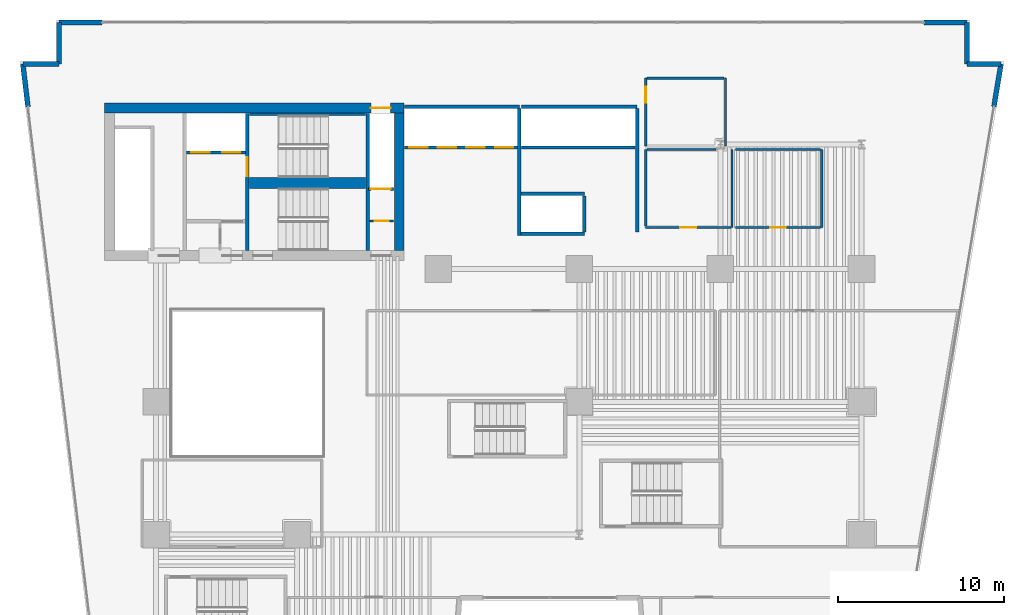
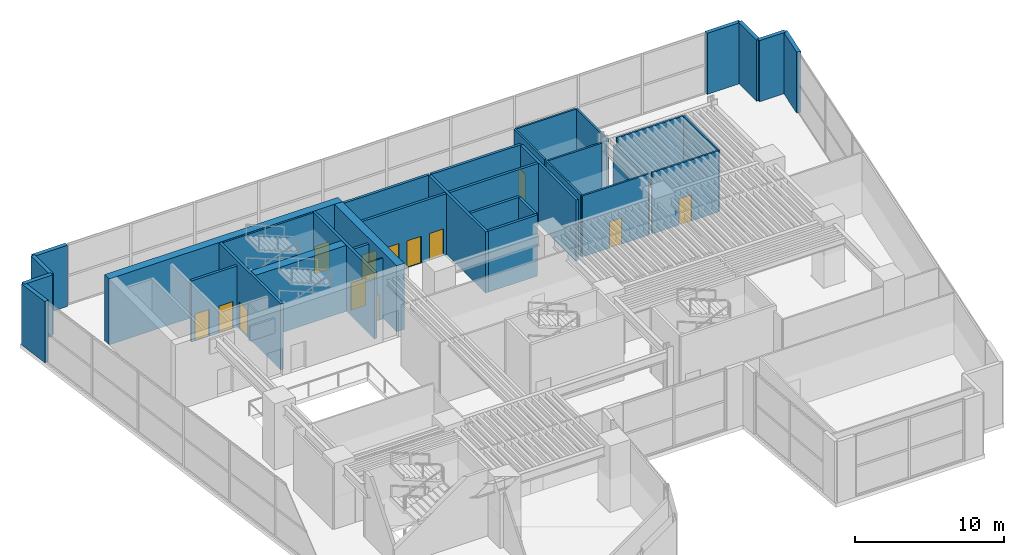
# One storey, part 10 of 16: 36 walls, 13 doors, 13 openings.
"""IFC4 building model written with IfcOpenShell, lengths in metres."""

import ifcopenshell
import ifcopenshell.guid

model = None  # the IFC model being written
_history = None  # IfcOwnerHistory: only IFC2X3 demands one
_inside = {}  # id of a spatial element -> (the spatial element, [elements in it])
_under = {}  # id of a project, library or spatial element -> (it, [spatial elements below it])
_declared = {}  # id of a project -> (the project, [libraries it declares])
_typed = {}  # id of a type object -> (the type object, [elements of that type])
_made_of = {}  # id of a material, layer set ... -> (it, [elements and type objects made of it])


def new_model(schema):
    """Start an empty IFC model of exactly this schema.

    Asked for "IFC4X3", IfcOpenShell would pick the latest addendum, in which some entities
    have other attributes; the version numbers below select the first issue.
    IFC2X3 requires an IfcOwnerHistory on every rooted entity: one is made here for all.
    """
    global model, _history
    if schema == "IFC4X3":
        model = ifcopenshell.file(schema_version=(4, 3, 0, 0))
    else:
        model = ifcopenshell.file(schema=schema)
    _inside.clear()
    _under.clear()
    _declared.clear()
    _typed.clear()
    _made_of.clear()
    _history = None
    if model.schema == "IFC2X3":
        org = make("IfcOrganization", Name="unknown")
        user = make(
            "IfcPersonAndOrganization",
            ThePerson=make("IfcPerson", FamilyName="unknown"),
            TheOrganization=org,
        )
        app = make(
            "IfcApplication",
            ApplicationDeveloper=org,
            Version="unknown",
            ApplicationFullName="unknown",
            ApplicationIdentifier="unknown",
        )
        _history = make(
            "IfcOwnerHistory",
            OwningUser=user,
            OwningApplication=app,
            ChangeAction="ADDED",
            CreationDate=0,
        )
    return model


def make(cls, **values):
    """One entity of the class cls with the attributes given. An attribute that is None is left unset."""
    return model.create_entity(
        cls, **{name: value for name, value in values.items() if value is not None}
    )


def rooted(cls, **values):
    """An entity with a GlobalId (a new one), such as an element, a storey or a relation."""
    return make(cls, GlobalId=ifcopenshell.guid.new(), OwnerHistory=_history, **values)


def si_unit(unit_type, name, prefix=None):
    """IfcSIUnit, for example si_unit("LENGTHUNIT", "METRE", prefix="MILLI")."""
    return make("IfcSIUnit", UnitType=unit_type, Prefix=prefix, Name=name)


def assignment(units):
    """IfcUnitAssignment: the units of a project."""
    return None if units is None else make("IfcUnitAssignment", Units=units)


def point(xyz):
    """IfcCartesianPoint."""
    return None if xyz is None else make("IfcCartesianPoint", Coordinates=xyz)


def direction(xyz):
    """IfcDirection."""
    return None if xyz is None else make("IfcDirection", DirectionRatios=xyz)


def frame(location, z_axis=None, x_axis=None):
    """IfcAxis2Placement3D, a coordinate frame: its origin and axes. An axis left out is left unset."""
    return make(
        "IfcAxis2Placement3D",
        Location=point(location),
        Axis=direction(z_axis),
        RefDirection=direction(x_axis),
    )


def frame_2d(location, x_axis=None):
    """IfcAxis2Placement2D, a coordinate frame in the plane: its origin and x axis."""
    return make(
        "IfcAxis2Placement2D", Location=point(location), RefDirection=direction(x_axis)
    )


def origin():
    """The frame at (0, 0, 0) with its axes left unset."""
    return frame((0.0, 0.0, 0.0))


def place(relative_to, where):
    """IfcLocalPlacement: puts the frame where relative to a parent placement (None: the world)."""
    return make(
        "IfcLocalPlacement", PlacementRelTo=relative_to, RelativePlacement=where
    )


def context(
    kind, dimensions, precision=None, world=None, true_north=None, identifier=None
):
    """IfcGeometricRepresentationContext, for example the 3D "Model" context."""
    return make(
        "IfcGeometricRepresentationContext",
        ContextIdentifier=identifier,
        ContextType=kind,
        CoordinateSpaceDimension=dimensions,
        Precision=precision,
        WorldCoordinateSystem=world,
        TrueNorth=true_north,
    )


def subcontext(parent, identifier, kind, view, scale=None):
    """IfcGeometricRepresentationSubContext, for example "Body" below "Model"."""
    return make(
        "IfcGeometricRepresentationSubContext",
        ContextIdentifier=identifier,
        ContextType=kind,
        ParentContext=parent,
        TargetScale=scale,
        TargetView=view,
    )


def project(units=None, contexts=None):
    """IfcProject with its units and contexts."""
    return rooted(
        "IfcProject",
        Name="project",
        RepresentationContexts=contexts,
        UnitsInContext=assignment(units),
    )


def spatial(cls, under=None, at=None, **own):
    """A site, building, storey or space (cls), placed at a placement, below another one or the project."""
    s = rooted(cls, ObjectPlacement=at, **own)
    if under is not None:
        _under.setdefault(under.id(), (under, []))[1].append(s)
    return s


def profile(cls, at=None, kind="AREA", **sizes):
    """A parametric profile (cls). Its sizes go by their IFC names, for example OverallWidth=200.0."""
    return make(cls, ProfileType=kind, Position=at, **sizes)


def rectangle(**sizes):
    """IfcRectangleProfileDef."""
    return profile("IfcRectangleProfileDef", **sizes)


def extrude(swept, where, along, depth):
    """IfcExtrudedAreaSolid: the profile swept, set in the frame where, extruded along a direction by depth."""
    return make(
        "IfcExtrudedAreaSolid",
        SweptArea=swept,
        Position=where,
        ExtrudedDirection=direction(along),
        Depth=depth,
    )


def shape(context_of_items, identifier, shape_type, items):
    """IfcShapeRepresentation: the items that make up one representation, for example the "Body"."""
    return make(
        "IfcShapeRepresentation",
        ContextOfItems=context_of_items,
        RepresentationIdentifier=identifier,
        RepresentationType=shape_type,
        Items=items,
    )


def material(Name=None, Category=None):
    """IfcMaterial."""
    return make("IfcMaterial", Name=Name, Category=Category)


def layer(
    of_material, thickness, ventilated=None, Name=None, Category=None, Priority=None
):
    """IfcMaterialLayer: one layer of a wall or slab, of a material (None: an air gap)."""
    return make(
        "IfcMaterialLayer",
        Material=of_material,
        LayerThickness=thickness,
        IsVentilated=ventilated,
        Name=Name,
        Category=Category,
        Priority=Priority,
    )


def layer_set(layers, Name=None):
    """IfcMaterialLayerSet."""
    return make("IfcMaterialLayerSet", MaterialLayers=layers, LayerSetName=Name)


def made_of(thing, what):
    """Note that an element or type object is made of a material, layer set ...; save() writes the relation."""
    if what is not None:
        _made_of.setdefault(what.id(), (what, []))[1].append(thing)
    return thing


def type_object(cls, material=None, **own):
    """A type object (cls), such as IfcWallType, which elements share."""
    return made_of(rooted(cls, **own), material)


def element(
    cls,
    number,
    at=None,
    inside=None,
    cuts=None,
    type_object=None,
    material=None,
    context=None,
    identifier="Body",
    shape_type=None,
    held_by="IfcProductDefinitionShape",
    body=None,
    shapes=None,
    **own,
):
    """One element of the class cls, such as IfcWall. Its Tag is "e" and its number.

    at: its placement. inside: the storey or other place that contains it. cuts: it is an
    opening in that element (IfcRelVoidsElement). A single representation is given by context,
    identifier, shape_type and body (its items); several are given by shapes. held_by: the class
    of the entity that holds the representations. save() writes the other relations.
    """
    e = rooted(cls, Tag="e%d" % number, ObjectPlacement=at, **own)
    if body is not None:
        shapes = [shape(context, identifier, shape_type, body)]
    if shapes is not None:
        e.Representation = make(held_by, Representations=shapes)
    if inside is not None:
        _inside.setdefault(inside.id(), (inside, []))[1].append(e)
    if cuts is not None:
        rooted(
            "IfcRelVoidsElement", RelatingBuildingElement=cuts, RelatedOpeningElement=e
        )
    if type_object is not None:
        _typed.setdefault(type_object.id(), (type_object, []))[1].append(e)
    return made_of(e, material)


def fill(opening, filler):
    """IfcRelFillsElement: the door or window that sits in an opening."""
    return rooted(
        "IfcRelFillsElement",
        RelatingOpeningElement=opening,
        RelatedBuildingElement=filler,
    )


def aggregate(whole, parts):
    """IfcRelAggregates: a whole, such as a stair, and the parts it consists of."""
    return rooted("IfcRelAggregates", RelatingObject=whole, RelatedObjects=parts)


def save(model, path):
    """Write the relations noted so far, then the file.

    IfcRelAggregates (storeys below a building ...), IfcRelContainedInSpatialStructure (elements
    in a storey), IfcRelDefinesByType, IfcRelAssociatesMaterial and IfcRelDeclares: one each for
    every whole, place, type object, material and project.
    """
    for whole, parts in _under.values():
        aggregate(whole, parts)
    for where, things in _inside.values():
        rooted(
            "IfcRelContainedInSpatialStructure",
            RelatedElements=things,
            RelatingStructure=where,
        )
    for kind, things in _typed.values():
        rooted("IfcRelDefinesByType", RelatedObjects=things, RelatingType=kind)
    for what, things in _made_of.values():
        rooted("IfcRelAssociatesMaterial", RelatedObjects=things, RelatingMaterial=what)
    for by, libraries in _declared.values():
        rooted("IfcRelDeclares", RelatingContext=by, RelatedDefinitions=libraries)
    model.write(path)


model = new_model("IFC4")

# Units and contexts
model_context = context("Model", 3, precision=1e-05, world=origin(), true_north=direction((0.0, 1.0)))
body_context = subcontext(model_context, "Body", "Model", "MODEL_VIEW")
ifc_project = project(units=[si_unit("LENGTHUNIT", "METRE"), si_unit("AREAUNIT", "SQUARE_METRE"), si_unit("VOLUMEUNIT", "CUBIC_METRE"), si_unit("PLANEANGLEUNIT", "RADIAN"), si_unit("MASSUNIT", "GRAM", prefix="KILO")], contexts=[model_context])

# Site, building, storey
site_placement = place(None, origin())
site = spatial("IfcSite", under=ifc_project, at=site_placement, CompositionType="ELEMENT")
building_placement = place(site_placement, origin())
building = spatial("IfcBuilding", under=site, at=building_placement, Name="Caeloran Harvest Quay", CompositionType="ELEMENT")
storey_placement = place(building_placement, frame((0.0, 0.0, 16.199951171875)))
storey = spatial("IfcBuildingStorey", under=building, at=storey_placement, Name="L04", CompositionType="ELEMENT", Elevation=16.199951171875)

# Walls
ifc_material_1 = material(Name="Precast concrete C50/60", Category="concrete")
ifc_layer_1 = layer(ifc_material_1, 0.300048828125, Name="Precast concrete C50/60")
ifc_layer_set_1 = layer_set([ifc_layer_1], Name="Precast concrete C50/60")
wall_type_1 = type_object("IfcWallType", Name="ENV-WALL-EW-300", PredefinedType="STANDARD", material=ifc_layer_set_1)
wall_1_placement = place(storey_placement, frame((0.781494140625, 40.768798828125, 0.0), z_axis=(0.0, 0.0, 1.0), x_axis=(-0.119630264411, 0.992818513041, 0.0)))
element("IfcWall", 1, at=wall_1_placement, inside=storey, type_object=wall_type_1, Name="L04 Exterior Facade Corner Pier Wall 3B", PredefinedType="STANDARD", context=body_context, shape_type="SweptSolid", body=[
    extrude(rectangle(XDim=2.599853515625, YDim=0.300048828125, at=frame_2d((1.2998046875, 0.0))), origin(), (0.0, 0.0, 1.0), 5.0),
])
wall_2_placement = place(storey_placement, frame((0.470458984375, 43.35009765625, 0.0), z_axis=(0.0, 0.0, 1.0), x_axis=(1.0, 0.0, 0.0)))
element("IfcWall", 2, at=wall_2_placement, inside=storey, type_object=wall_type_1, Name="L04 Exterior Precast Concrete Facade Wall 4", PredefinedType="STANDARD", context=body_context, shape_type="SweptSolid", body=[
    extrude(rectangle(XDim=2.179443359375, YDim=0.300048828125, at=frame_2d((1.08984375, 0.0))), origin(), (0.0, 0.0, 1.0), 5.0),
])
wall_3_placement = place(storey_placement, frame((2.64990234375, 43.35009765625, 0.0), z_axis=(0.0, 0.0, 1.0), x_axis=(0.0, 1.0, 0.0)))
element("IfcWall", 3, at=wall_3_placement, inside=storey, type_object=wall_type_1, Name="L04 Exterior Precast Concrete Facade Wall 5", PredefinedType="STANDARD", context=body_context, shape_type="SweptSolid", body=[
    extrude(rectangle(XDim=2.5, YDim=0.300048828125, at=frame_2d((1.25, 0.0))), origin(), (0.0, 0.0, 1.0), 5.0),
])
for number, where, z_axis, x_axis, name in (
    (4, (2.64990234375, 45.85009765625, 0.0), (0.0, 0.0, 1.0), (1.0, 0.0, 0.0), "L04 Exterior Facade Corner Pier Wall 6A"),
    (5, (54.75, 45.85009765625, 0.0), (0.0, 0.0, 1.0), (1.0, 0.0, 0.0), "L04 Exterior Facade Corner Pier Wall 6B"),
):
    element("IfcWall", number, at=place(storey_placement, frame(where, z_axis=z_axis, x_axis=x_axis)), inside=storey, type_object=wall_type_1, Name=name, PredefinedType="STANDARD", context=body_context, shape_type="SweptSolid", body=[
        extrude(rectangle(XDim=2.60009765625, YDim=0.300048828125, at=frame_2d((1.300048828125, 0.0))), origin(), (0.0, 0.0, 1.0), 5.0),
    ])
wall_4_placement = place(storey_placement, frame((57.35009765625, 45.85009765625, 0.0), z_axis=(0.0, 0.0, 1.0), x_axis=(0.0, -1.0, 0.0)))
element("IfcWall", 6, at=wall_4_placement, inside=storey, type_object=wall_type_1, Name="L04 Exterior Precast Concrete Facade Wall 7", PredefinedType="STANDARD", context=body_context, shape_type="SweptSolid", body=[
    extrude(rectangle(XDim=2.5, YDim=0.300048828125, at=frame_2d((1.25, 0.0))), origin(), (0.0, 0.0, 1.0), 5.0),
])
wall_5_placement = place(storey_placement, frame((57.35009765625, 43.35009765625, 0.0), z_axis=(0.0, 0.0, 1.0), x_axis=(1.0, 0.0, 0.0)))
element("IfcWall", 7, at=wall_5_placement, inside=storey, type_object=wall_type_1, Name="L04 Exterior Precast Concrete Facade Wall 8", PredefinedType="STANDARD", context=body_context, shape_type="SweptSolid", body=[
    extrude(rectangle(XDim=2.056884765625, YDim=0.300048828125, at=frame_2d((1.0283203125, 0.0))), origin(), (0.0, 0.0, 1.0), 5.0),
])
wall_6_placement = place(storey_placement, frame((59.406982421875, 43.35009765625, 0.0), z_axis=(0.0, 0.0, 1.0), x_axis=(-0.164231487243, -0.986421825893, 0.0)))
element("IfcWall", 8, at=wall_6_placement, inside=storey, type_object=wall_type_1, Name="L04 Exterior Facade Corner Pier Wall 9A", PredefinedType="STANDARD", context=body_context, shape_type="SweptSolid", body=[
    extrude(rectangle(XDim=2.60009765625, YDim=0.300048828125, at=frame_2d((1.300048828125, 0.0))), origin(), (0.0, 0.0, 1.0), 5.0),
])

# Wall, opening, door
ifc_material_2 = material(Name="Fire-Resisting Gypsum Core Riser Partition", Category="gypsum")
ifc_layer_2 = layer(ifc_material_2, 0.10009765625, Name="Fire-Resisting Gypsum Core Riser Partition")
ifc_layer_set_2 = layer_set([ifc_layer_2], Name="Fire-Resisting Gypsum Core Riser Partition")
wall_type_2 = type_object("IfcWallType", Name="INT-WALL-PW-100", PredefinedType="PARTITIONING", material=ifc_layer_set_2)
wall_7_placement = place(storey_placement, frame((21.3798828125, 33.889892578125, 0.0), z_axis=(0.0, 0.0, 1.0), x_axis=(1.0, 0.0, 0.0)))
wall_7 = element("IfcWall", 9, at=wall_7_placement, inside=storey, type_object=wall_type_2, Name="L04 Cleaner Store Partition Wall", PredefinedType="PARTITIONING", context=body_context, shape_type="SweptSolid", body=[
    extrude(rectangle(XDim=1.420166015625, YDim=0.10009765625, at=frame_2d((0.7099609375, 0.0))), origin(), (0.0, 0.0, 1.0), 5.0),
])
opening_1_placement = place(wall_7_placement, frame((0.280029296875, 0.0, 0.0)))
opening_1 = element("IfcOpeningElement", 10, at=opening_1_placement, cuts=wall_7, Name="Opening SV-01", PredefinedType="OPENING", context=body_context, shape_type="SweptSolid", body=[
    extrude(rectangle(XDim=0.85009765625, YDim=2.10009765625, at=frame_2d((0.425048828125, 1.050048828125))), frame((0.0, 0.06005859375, 0.0), z_axis=(0.0, -1.0, 0.0), x_axis=(1.0, 0.0, 0.0)), (0.0, 0.0, 1.0), 0.1201171875),
])
ifc_material_3 = material(Name="Galvanized Painted Steel", Category="steel")
door_type_1 = type_object("IfcDoorType", Name="INTDOOR-SV-01", OperationType="NOTDEFINED", PredefinedType="DOOR", material=ifc_material_3)
door_1_placement = place(opening_1_placement, origin())
door_1 = element("IfcDoor", 11, at=door_1_placement, inside=storey, type_object=door_type_1, Name="L04 Cleaner Supply Store Access Door", OperationType="SINGLE_SWING_RIGHT", OverallHeight=2.10009765625, OverallWidth=0.85009765625, PredefinedType="DOOR", context=body_context, shape_type="SweptSolid", body=[
    extrude(rectangle(XDim=0.85009765625, YDim=2.10009765625, at=frame_2d((0.425048828125, 1.050048828125))), frame((0.0, 0.02490234375, 0.0), z_axis=(0.0, -1.0, 0.0), x_axis=(1.0, 0.0, 0.0)), (0.0, 0.0, 1.0), 0.050048828125),
])
fill(opening_1, door_1)

# Wall
ifc_material_4 = material(Name="Moisture-Resistant Cement-Board Sanitary Partition", Category="gypsum")
ifc_layer_3 = layer(ifc_material_4, 0.139892578125, Name="Moisture-Resistant Cement-Board Sanitary Partition")
ifc_layer_set_3 = layer_set([ifc_layer_3], Name="Moisture-Resistant Cement-Board Sanitary Partition")
wall_type_3 = type_object("IfcWallType", Name="INT-WALL-PW-140", PredefinedType="PARTITIONING", material=ifc_layer_set_3)
wall_8_placement = place(storey_placement, frame((43.199951171875, 38.199951171875, 0.0), z_axis=(0.0, 0.0, 1.0), x_axis=(0.0, -1.0, 0.0)))
element("IfcWall", 12, at=wall_8_placement, inside=storey, type_object=wall_type_3, Name="L04 Public Male Washroom WC Partition Wall", PredefinedType="PARTITIONING", context=body_context, shape_type="SweptSolid", body=[
    extrude(rectangle(XDim=4.699951171875, YDim=0.139892578125, at=frame_2d((2.35009765625, 0.0))), origin(), (0.0, 0.0, 1.0), 4.485107421875),
])

# Wall, opening, door
wall_9_placement = place(storey_placement, frame((43.125, 33.5, 0.0), z_axis=(0.0, 0.0, 1.0), x_axis=(-1.0, 0.0, 0.0)))
wall_9 = element("IfcWall", 13, at=wall_9_placement, inside=storey, type_object=wall_type_3, Name="L04 Public Male Washroom WC Partition Wall", PredefinedType="PARTITIONING", context=body_context, shape_type="SweptSolid", body=[
    extrude(rectangle(XDim=5.125, YDim=0.139892578125, at=frame_2d((2.5625, 0.0))), origin(), (0.0, 0.0, 1.0), 5.0),
])
opening_2_placement = place(wall_9_placement, frame((2.08740234375, 0.0, 0.0)))
opening_2 = element("IfcOpeningElement", 14, at=opening_2_placement, cuts=wall_9, Name="Opening WC-01", PredefinedType="OPENING", context=body_context, shape_type="SweptSolid", body=[
    extrude(rectangle(XDim=0.949951171875, YDim=2.14990234375, at=frame_2d((0.47509765625, 1.074951171875))), frame((0.0, 0.080078125, 0.0), z_axis=(0.0, -1.0, 0.0), x_axis=(1.0, 0.0, 0.0)), (0.0, 0.0, 1.0), 0.159912109375),
])
ifc_material_5 = material(Name="High-Pressure Laminate Moisture-Resistant Timber", Category="wood")
door_type_2 = type_object("IfcDoorType", Name="INTDOOR-WC-01", OperationType="NOTDEFINED", PredefinedType="DOOR", material=ifc_material_5)
door_2_placement = place(opening_2_placement, origin())
door_2 = element("IfcDoor", 15, at=door_2_placement, inside=storey, type_object=door_type_2, Name="L04 Public Male Washroom WC Access Door", OperationType="SINGLE_SWING_RIGHT", OverallHeight=2.14990234375, OverallWidth=0.949951171875, PredefinedType="DOOR", context=body_context, shape_type="SweptSolid", body=[
    extrude(rectangle(XDim=0.949951171875, YDim=2.14990234375, at=frame_2d((0.47509765625, 1.074951171875))), frame((0.0, 0.02490234375, 0.0), z_axis=(0.0, -1.0, 0.0), x_axis=(1.0, 0.0, 0.0)), (0.0, 0.0, 1.0), 0.050048828125),
])
fill(opening_2, door_2)

# Walls
wall_10_placement = place(storey_placement, frame((38.0, 33.574951171875, 0.0), z_axis=(0.0, 0.0, 1.0), x_axis=(0.0, 1.0, 0.0)))
element("IfcWall", 16, at=wall_10_placement, inside=storey, type_object=wall_type_3, Name="L04 Public Male Washroom WC Partition Wall", PredefinedType="PARTITIONING", context=body_context, shape_type="SweptSolid", body=[
    extrude(rectangle(XDim=4.625, YDim=0.139892578125, at=frame_2d((2.3125, 0.0))), origin(), (0.0, 0.0, 1.0), 5.0),
])
wall_11_placement = place(storey_placement, frame((38.074951171875, 38.199951171875, 0.0), z_axis=(0.0, 0.0, 1.0), x_axis=(1.0, 0.0, 0.0)))
element("IfcWall", 17, at=wall_11_placement, inside=storey, type_object=wall_type_3, Name="L04 Public Male Washroom WC Partition Wall", PredefinedType="PARTITIONING", context=body_context, shape_type="SweptSolid", body=[
    extrude(rectangle(XDim=4.173095703125, YDim=0.139892578125, at=frame_2d((2.08642578125, 0.0))), origin(), (0.0, 0.0, 1.0), 5.0),
])
wall_12_placement = place(storey_placement, frame((48.60009765625, 38.199951171875, 0.0), z_axis=(0.0, 0.0, 1.0), x_axis=(0.0, -1.0, 0.0)))
element("IfcWall", 18, at=wall_12_placement, inside=storey, type_object=wall_type_3, Name="L04 Public Female Washroom WC Partition Wall", PredefinedType="PARTITIONING", context=body_context, shape_type="SweptSolid", body=[
    extrude(rectangle(XDim=4.699951171875, YDim=0.139892578125, at=frame_2d((2.35009765625, 0.0))), origin(), (0.0, 0.0, 1.0), 5.0),
])

# Wall, opening, door
wall_13_placement = place(storey_placement, frame((48.52490234375, 33.5, 0.0), z_axis=(0.0, 0.0, 1.0), x_axis=(-1.0, 0.0, 0.0)))
wall_13 = element("IfcWall", 19, at=wall_13_placement, inside=storey, type_object=wall_type_3, Name="L04 Public Female Washroom WC Partition Wall", PredefinedType="PARTITIONING", context=body_context, shape_type="SweptSolid", body=[
    extrude(rectangle(XDim=5.125, YDim=0.139892578125, at=frame_2d((2.5625, 0.0))), origin(), (0.0, 0.0, 1.0), 5.0),
])
opening_3_placement = place(wall_13_placement, frame((2.08740234375, 0.0, 0.0)))
opening_3 = element("IfcOpeningElement", 20, at=opening_3_placement, cuts=wall_13, Name="Opening WC-01", PredefinedType="OPENING", context=body_context, shape_type="SweptSolid", body=[
    extrude(rectangle(XDim=0.949951171875, YDim=2.14990234375, at=frame_2d((0.47509765625, 1.074951171875))), frame((0.0, 0.080078125, 0.0), z_axis=(0.0, -1.0, 0.0), x_axis=(1.0, 0.0, 0.0)), (0.0, 0.0, 1.0), 0.159912109375),
])
door_3_placement = place(opening_3_placement, origin())
door_3 = element("IfcDoor", 21, at=door_3_placement, inside=storey, type_object=door_type_2, Name="L04 Public Female Washroom WC Access Door", OperationType="SINGLE_SWING_LEFT", OverallHeight=2.14990234375, OverallWidth=0.949951171875, PredefinedType="DOOR", context=body_context, shape_type="SweptSolid", body=[
    extrude(rectangle(XDim=0.949951171875, YDim=2.14990234375, at=frame_2d((0.47509765625, 1.074951171875))), frame((0.0, 0.02490234375, 0.0), z_axis=(0.0, -1.0, 0.0), x_axis=(1.0, 0.0, 0.0)), (0.0, 0.0, 1.0), 0.050048828125),
])
fill(opening_3, door_3)

# Walls
wall_14_placement = place(storey_placement, frame((43.39990234375, 38.199951171875, 0.0), z_axis=(0.0, 0.0, 1.0), x_axis=(1.0, 0.0, 0.0)))
element("IfcWall", 22, at=wall_14_placement, inside=storey, type_object=wall_type_3, Name="L04 Public Female Washroom WC Partition Wall", PredefinedType="PARTITIONING", context=body_context, shape_type="SweptSolid", body=[
    extrude(rectangle(XDim=5.125, YDim=0.139892578125, at=frame_2d((2.5625, 0.0))), origin(), (0.0, 0.0, 1.0), 5.0),
])
wall_15_placement = place(storey_placement, frame((42.800048828125, 42.5, 0.0), z_axis=(0.0, 0.0, 1.0), x_axis=(0.0, -1.0, 0.0)))
element("IfcWall", 23, at=wall_15_placement, inside=storey, type_object=wall_type_3, Name="L04 Accessible Unisex Washroom WC Partition Wall", PredefinedType="PARTITIONING", context=body_context, shape_type="SweptSolid", body=[
    extrude(rectangle(XDim=4.10009765625, YDim=0.139892578125, at=frame_2d((2.050048828125, 0.0))), origin(), (0.0, 0.0, 1.0), 5.0),
])

# Wall, opening, door
wall_16_placement = place(storey_placement, frame((38.0, 38.39990234375, 0.0), z_axis=(0.0, 0.0, 1.0), x_axis=(0.0, 1.0, 0.0)))
wall_16 = element("IfcWall", 24, at=wall_16_placement, inside=storey, type_object=wall_type_3, Name="L04 Accessible Unisex Washroom WC Partition Wall", PredefinedType="PARTITIONING", context=body_context, shape_type="SweptSolid", body=[
    extrude(rectangle(XDim=4.10009765625, YDim=0.139892578125, at=frame_2d((2.050048828125, 0.0))), origin(), (0.0, 0.0, 1.0), 5.0),
])
opening_4_placement = place(wall_16_placement, frame((2.62255859375, 0.0, 0.0)))
opening_4 = element("IfcOpeningElement", 25, at=opening_4_placement, cuts=wall_16, Name="Opening WC-01", PredefinedType="OPENING", context=body_context, shape_type="SweptSolid", body=[
    extrude(rectangle(XDim=0.949951171875, YDim=2.14990234375, at=frame_2d((0.47509765625, 1.074951171875))), frame((0.0, 0.080078125, 0.0), z_axis=(0.0, -1.0, 0.0), x_axis=(1.0, 0.0, 0.0)), (0.0, 0.0, 1.0), 0.159912109375),
])
door_4_placement = place(opening_4_placement, origin())
door_4 = element("IfcDoor", 26, at=door_4_placement, inside=storey, type_object=door_type_2, Name="L04 Accessible Unisex Washroom WC Access Door", OperationType="SINGLE_SWING_LEFT", OverallHeight=2.14990234375, OverallWidth=0.949951171875, PredefinedType="DOOR", context=body_context, shape_type="SweptSolid", body=[
    extrude(rectangle(XDim=0.949951171875, YDim=2.14990234375, at=frame_2d((0.47509765625, 1.074951171875))), frame((0.0, 0.02490234375, 0.0), z_axis=(0.0, -1.0, 0.0), x_axis=(1.0, 0.0, 0.0)), (0.0, 0.0, 1.0), 0.050048828125),
])
fill(opening_4, door_4)

# Wall
wall_17_placement = place(storey_placement, frame((38.074951171875, 42.5, 0.0), z_axis=(0.0, 0.0, 1.0), x_axis=(1.0, 0.0, 0.0)))
element("IfcWall", 27, at=wall_17_placement, inside=storey, type_object=wall_type_3, Name="L04 Accessible Unisex Washroom WC Partition Wall", PredefinedType="PARTITIONING", context=body_context, shape_type="SweptSolid", body=[
    extrude(rectangle(XDim=4.650146484375, YDim=0.139892578125, at=frame_2d((2.3251953125, 0.0))), origin(), (0.0, 0.0, 1.0), 5.0),
])

# Wall, openings, doors
ifc_material_6 = material(Name="Concrete C50/60", Category="concrete")
ifc_layer_4 = layer(ifc_material_6, 0.199951171875, Name="Concrete C50/60")
ifc_layer_set_4 = layer_set([ifc_layer_4], Name="Concrete C50/60")
wall_type_4 = type_object("IfcWallType", Name="INT-WALL-SW-200", PredefinedType="PARTITIONING", material=ifc_layer_set_4)
wall_18_placement = place(storey_placement, frame((10.340087890625, 38.02001953125, 0.0), z_axis=(0.0, 0.0, 1.0), x_axis=(1.0, 0.0, 0.0)))
wall_18 = element("IfcWall", 28, at=wall_18_placement, inside=storey, type_object=wall_type_4, Name="L04 Firefighting Lift Shaft Wall", PredefinedType="PARTITIONING", context=body_context, shape_type="SweptSolid", body=[
    extrude(rectangle(XDim=3.539794921875, YDim=0.199951171875, at=frame_2d((1.77001953125, 0.0))), origin(), (0.0, 0.0, 1.0), 5.0),
])
opening_5_placement = place(wall_18_placement, frame((0.284912109375, 0.0, 0.0)))
opening_5 = element("IfcOpeningElement", 29, at=opening_5_placement, cuts=wall_18, Name="Opening LD-01", PredefinedType="OPENING", context=body_context, shape_type="SweptSolid", body=[
    extrude(rectangle(XDim=1.10009765625, YDim=2.199951171875, at=frame_2d((0.550048828125, 1.10009765625))), frame((0.0, 0.10986328125, 0.0), z_axis=(0.0, -1.0, 0.0), x_axis=(1.0, 0.0, 0.0)), (0.0, 0.0, 1.0), 0.219970703125),
])
opening_6_placement = place(wall_18_placement, frame((2.135009765625, 0.0, 0.0)))
opening_6 = element("IfcOpeningElement", 30, at=opening_6_placement, cuts=wall_18, Name="Opening LD-01", PredefinedType="OPENING", context=body_context, shape_type="SweptSolid", body=[
    extrude(rectangle(XDim=1.10009765625, YDim=2.199951171875, at=frame_2d((0.550048828125, 1.10009765625))), frame((0.0, 0.10986328125, 0.0), z_axis=(0.0, -1.0, 0.0), x_axis=(1.0, 0.0, 0.0)), (0.0, 0.0, 1.0), 0.219970703125),
])
ifc_material_7 = material(Name="Stainless Steel Grade 316", Category="steel")
door_type_3 = type_object("IfcDoorType", Name="INTDOOR-LD-01", OperationType="NOTDEFINED", PredefinedType="DOOR", material=ifc_material_7)
door_5_placement = place(opening_5_placement, origin())
door_5 = element("IfcDoor", 31, at=door_5_placement, inside=storey, type_object=door_type_3, Name="Lift FF-1 Sliding Landing Door (L04)", OperationType="DOUBLE_DOOR_SLIDING", OverallHeight=2.199951171875, OverallWidth=1.10009765625, PredefinedType="DOOR", context=body_context, shape_type="SweptSolid", body=[
    extrude(rectangle(XDim=1.10009765625, YDim=2.199951171875, at=frame_2d((0.550048828125, 1.10009765625))), frame((0.0, 0.02490234375, 0.0), z_axis=(0.0, -1.0, 0.0), x_axis=(1.0, 0.0, 0.0)), (0.0, 0.0, 1.0), 0.050048828125),
])
fill(opening_5, door_5)
door_6_placement = place(opening_6_placement, origin())
door_6 = element("IfcDoor", 32, at=door_6_placement, inside=storey, type_object=door_type_3, Name="Lift FF-2 Sliding Landing Door (L04)", OperationType="DOUBLE_DOOR_SLIDING", OverallHeight=2.199951171875, OverallWidth=1.10009765625, PredefinedType="DOOR", context=body_context, shape_type="SweptSolid", body=[
    extrude(rectangle(XDim=1.10009765625, YDim=2.199951171875, at=frame_2d((0.550048828125, 1.10009765625))), frame((0.0, 0.02490234375, 0.0), z_axis=(0.0, -1.0, 0.0), x_axis=(1.0, 0.0, 0.0)), (0.0, 0.0, 1.0), 0.050048828125),
])
fill(opening_6, door_6)

# Wall, opening, door
wall_19_placement = place(storey_placement, frame((21.300048828125, 35.820068359375, 0.0), z_axis=(0.0, 0.0, 1.0), x_axis=(1.0, 0.0, 0.0)))
wall_19 = element("IfcWall", 33, at=wall_19_placement, inside=storey, type_object=wall_type_4, Name="L04 Service Lift SV-2 Shaft Wall", PredefinedType="PARTITIONING", context=body_context, shape_type="SweptSolid", body=[
    extrude(rectangle(XDim=1.5, YDim=0.199951171875, at=frame_2d((0.75, 0.0))), origin(), (0.0, 0.0, 1.0), 5.0),
])
opening_7_placement = place(wall_19_placement, frame((0.14501953125, 0.0, 0.0)))
opening_7 = element("IfcOpeningElement", 34, at=opening_7_placement, cuts=wall_19, Name="Opening LD-02", PredefinedType="OPENING", context=body_context, shape_type="SweptSolid", body=[
    extrude(rectangle(XDim=1.179931640625, YDim=2.25, at=frame_2d((0.58984375, 1.125))), frame((0.0, 0.10986328125, 0.0), z_axis=(0.0, -1.0, 0.0), x_axis=(1.0, 0.0, 0.0)), (0.0, 0.0, 1.0), 0.219970703125),
])
door_type_4 = type_object("IfcDoorType", Name="INTDOOR-LD-02", OperationType="NOTDEFINED", PredefinedType="DOOR", material=ifc_material_7)
door_7_placement = place(opening_7_placement, origin())
door_7 = element("IfcDoor", 35, at=door_7_placement, inside=storey, type_object=door_type_4, Name="Lift SV-2 Sliding Landing Door (L04)", OperationType="DOUBLE_DOOR_SLIDING", OverallHeight=2.25, OverallWidth=1.179931640625, PredefinedType="DOOR", context=body_context, shape_type="SweptSolid", body=[
    extrude(rectangle(XDim=1.179931640625, YDim=2.25, at=frame_2d((0.58984375, 1.125))), frame((0.0, 0.02490234375, 0.0), z_axis=(0.0, -1.0, 0.0), x_axis=(1.0, 0.0, 0.0)), (0.0, 0.0, 1.0), 0.050048828125),
])
fill(opening_7, door_7)

# Walls
wall_20_placement = place(storey_placement, frame((23.469970703125, 40.780029296875, 0.0), z_axis=(0.0, 0.0, 1.0), x_axis=(1.0, 0.0, 0.0)))
element("IfcWall", 36, at=wall_20_placement, inside=storey, type_object=wall_type_4, Name="L04 Bank 1 Lift Shaft North Wall", PredefinedType="PARTITIONING", context=body_context, shape_type="SweptSolid", body=[
    extrude(rectangle(XDim=6.909912109375, YDim=0.199951171875, at=frame_2d((3.455078125, 0.0))), origin(), (0.0, 0.0, 1.0), 5.0),
])
wall_21_placement = place(storey_placement, frame((30.3798828125, 33.02001953125, 0.0), z_axis=(0.0, 0.0, 1.0), x_axis=(0.0, 1.0, 0.0)))
element("IfcWall", 37, at=wall_21_placement, inside=storey, type_object=wall_type_4, Name="L04 Bank 1 Lift Shaft East Wall", PredefinedType="PARTITIONING", context=body_context, shape_type="SweptSolid", body=[
    extrude(rectangle(XDim=7.639892578125, YDim=0.199951171875, at=frame_2d((3.81982421875, 0.0))), origin(), (0.0, 0.0, 1.0), 5.0),
])

# Wall, openings, doors
wall_22_placement = place(storey_placement, frame((23.469970703125, 38.320068359375, 0.0), z_axis=(0.0, 0.0, 1.0), x_axis=(1.0, 0.0, 0.0)))
wall_22 = element("IfcWall", 38, at=wall_22_placement, inside=storey, type_object=wall_type_4, Name="L04 Bank 1 Lift Landing Front Wall", PredefinedType="PARTITIONING", context=body_context, shape_type="SweptSolid", body=[
    extrude(rectangle(XDim=6.7900390625, YDim=0.199951171875, at=frame_2d((3.39501953125, 0.0))), origin(), (0.0, 0.0, 1.0), 5.0),
])
opening_8_placement = place(wall_22_placement, frame((0.2900390625, 0.0, 0.0)))
opening_8 = element("IfcOpeningElement", 39, at=opening_8_placement, cuts=wall_22, Name="Opening LD-01", PredefinedType="OPENING", context=body_context, shape_type="SweptSolid", body=[
    extrude(rectangle(XDim=1.10009765625, YDim=2.199951171875, at=frame_2d((0.550048828125, 1.10009765625))), frame((0.0, 0.10986328125, 0.0), z_axis=(0.0, -1.0, 0.0), x_axis=(1.0, 0.0, 0.0)), (0.0, 0.0, 1.0), 0.219970703125),
])
opening_9_placement = place(wall_22_placement, frame((2.010009765625, 0.0, 0.0)))
opening_9 = element("IfcOpeningElement", 40, at=opening_9_placement, cuts=wall_22, Name="Opening LD-01", PredefinedType="OPENING", context=body_context, shape_type="SweptSolid", body=[
    extrude(rectangle(XDim=1.10009765625, YDim=2.199951171875, at=frame_2d((0.550048828125, 1.10009765625))), frame((0.0, 0.10986328125, 0.0), z_axis=(0.0, -1.0, 0.0), x_axis=(1.0, 0.0, 0.0)), (0.0, 0.0, 1.0), 0.219970703125),
])
opening_10_placement = place(wall_22_placement, frame((3.72998046875, 0.0, 0.0)))
opening_10 = element("IfcOpeningElement", 41, at=opening_10_placement, cuts=wall_22, Name="Opening LD-01", PredefinedType="OPENING", context=body_context, shape_type="SweptSolid", body=[
    extrude(rectangle(XDim=1.10009765625, YDim=2.199951171875, at=frame_2d((0.550048828125, 1.10009765625))), frame((0.0, 0.10986328125, 0.0), z_axis=(0.0, -1.0, 0.0), x_axis=(1.0, 0.0, 0.0)), (0.0, 0.0, 1.0), 0.219970703125),
])
opening_11_placement = place(wall_22_placement, frame((5.449951171875, 0.0, 0.0)))
opening_11 = element("IfcOpeningElement", 42, at=opening_11_placement, cuts=wall_22, Name="Opening LD-01", PredefinedType="OPENING", context=body_context, shape_type="SweptSolid", body=[
    extrude(rectangle(XDim=1.10009765625, YDim=2.199951171875, at=frame_2d((0.550048828125, 1.10009765625))), frame((0.0, 0.10986328125, 0.0), z_axis=(0.0, -1.0, 0.0), x_axis=(1.0, 0.0, 0.0)), (0.0, 0.0, 1.0), 0.219970703125),
])
door_8_placement = place(opening_8_placement, origin())
door_8 = element("IfcDoor", 43, at=door_8_placement, inside=storey, type_object=door_type_3, Name="Lift P1-1 Sliding Landing Door (L04)", OperationType="DOUBLE_DOOR_SLIDING", OverallHeight=2.199951171875, OverallWidth=1.10009765625, PredefinedType="DOOR", context=body_context, shape_type="SweptSolid", body=[
    extrude(rectangle(XDim=1.10009765625, YDim=2.199951171875, at=frame_2d((0.550048828125, 1.10009765625))), frame((0.0, 0.02490234375, 0.0), z_axis=(0.0, -1.0, 0.0), x_axis=(1.0, 0.0, 0.0)), (0.0, 0.0, 1.0), 0.050048828125),
])
fill(opening_8, door_8)
door_9_placement = place(opening_9_placement, origin())
door_9 = element("IfcDoor", 44, at=door_9_placement, inside=storey, type_object=door_type_3, Name="Lift P1-2 Sliding Landing Door (L04)", OperationType="DOUBLE_DOOR_SLIDING", OverallHeight=2.199951171875, OverallWidth=1.10009765625, PredefinedType="DOOR", context=body_context, shape_type="SweptSolid", body=[
    extrude(rectangle(XDim=1.10009765625, YDim=2.199951171875, at=frame_2d((0.550048828125, 1.10009765625))), frame((0.0, 0.02490234375, 0.0), z_axis=(0.0, -1.0, 0.0), x_axis=(1.0, 0.0, 0.0)), (0.0, 0.0, 1.0), 0.050048828125),
])
fill(opening_9, door_9)
door_10_placement = place(opening_10_placement, origin())
door_10 = element("IfcDoor", 45, at=door_10_placement, inside=storey, type_object=door_type_3, Name="Lift P1-3 Sliding Landing Door (L04)", OperationType="DOUBLE_DOOR_SLIDING", OverallHeight=2.199951171875, OverallWidth=1.10009765625, PredefinedType="DOOR", context=body_context, shape_type="SweptSolid", body=[
    extrude(rectangle(XDim=1.10009765625, YDim=2.199951171875, at=frame_2d((0.550048828125, 1.10009765625))), frame((0.0, 0.02490234375, 0.0), z_axis=(0.0, -1.0, 0.0), x_axis=(1.0, 0.0, 0.0)), (0.0, 0.0, 1.0), 0.050048828125),
])
fill(opening_10, door_10)
door_11_placement = place(opening_11_placement, origin())
door_11 = element("IfcDoor", 46, at=door_11_placement, inside=storey, type_object=door_type_3, Name="Lift P1-4 Sliding Landing Door (L04)", OperationType="DOUBLE_DOOR_SLIDING", OverallHeight=2.199951171875, OverallWidth=1.10009765625, PredefinedType="DOOR", context=body_context, shape_type="SweptSolid", body=[
    extrude(rectangle(XDim=1.10009765625, YDim=2.199951171875, at=frame_2d((0.550048828125, 1.10009765625))), frame((0.0, 0.02490234375, 0.0), z_axis=(0.0, -1.0, 0.0), x_axis=(1.0, 0.0, 0.0)), (0.0, 0.0, 1.0), 0.050048828125),
])
fill(opening_11, door_11)

# Walls
wall_23_placement = place(storey_placement, frame((30.5, 40.780029296875, 0.0), z_axis=(0.0, 0.0, 1.0), x_axis=(1.0, 0.0, 0.0)))
element("IfcWall", 47, at=wall_23_placement, inside=storey, type_object=wall_type_4, Name="L04 Bank 2 Lift Shaft North Wall", PredefinedType="PARTITIONING", context=body_context, shape_type="SweptSolid", body=[
    extrude(rectangle(XDim=6.97998046875, YDim=0.199951171875, at=frame_2d((3.489990234375, 0.0))), origin(), (0.0, 0.0, 1.0), 5.0),
])
wall_24_placement = place(storey_placement, frame((37.47998046875, 33.239990234375, 0.0), z_axis=(0.0, 0.0, 1.0), x_axis=(0.0, 1.0, 0.0)))
element("IfcWall", 48, at=wall_24_placement, inside=storey, type_object=wall_type_4, Name="L04 Bank 2 Lift Shaft East Wall", PredefinedType="PARTITIONING", context=body_context, shape_type="SweptSolid", body=[
    extrude(rectangle(XDim=7.419921875, YDim=0.199951171875, at=frame_2d((3.7099609375, 0.0))), origin(), (0.0, 0.0, 1.0), 5.0),
])
wall_25_placement = place(storey_placement, frame((30.5, 38.320068359375, 0.0), z_axis=(0.0, 0.0, 1.0), x_axis=(1.0, 0.0, 0.0)))
element("IfcWall", 49, at=wall_25_placement, inside=storey, type_object=wall_type_4, Name="L04 Bank 2 Lift Landing Front Wall", PredefinedType="PARTITIONING", context=body_context, shape_type="SweptSolid", body=[
    extrude(rectangle(XDim=6.860107421875, YDim=0.199951171875, at=frame_2d((3.43017578125, 0.0))), origin(), (0.0, 0.0, 1.0), 5.0),
])
for number, where, z_axis, x_axis, name in (
    (50, (30.5, 35.530029296875, 0.0), (0.0, 0.0, 1.0), (1.0, 0.0, 0.0), "L04 Shuttle Lift Landing Front Wall"),
    (51, (30.5, 33.1201171875, 0.0), (0.0, 0.0, 1.0), (1.0, 0.0, 0.0), "L04 Shuttle Lift Shaft South Wall"),
):
    element("IfcWall", number, at=place(storey_placement, frame(where, z_axis=z_axis, x_axis=x_axis)), inside=storey, type_object=wall_type_4, Name=name, PredefinedType="PARTITIONING", context=body_context, shape_type="SweptSolid", body=[
        extrude(rectangle(XDim=3.800048828125, YDim=0.199951171875, at=frame_2d((1.89990234375, 0.0))), origin(), (0.0, 0.0, 1.0), 5.0),
    ])
wall_26_placement = place(storey_placement, frame((34.300048828125, 33.239990234375, 0.0), z_axis=(0.0, 0.0, 1.0), x_axis=(0.0, 1.0, 0.0)))
element("IfcWall", 52, at=wall_26_placement, inside=storey, type_object=wall_type_4, Name="L04 Shuttle Lift Shaft East Wall", PredefinedType="PARTITIONING", context=body_context, shape_type="SweptSolid", body=[
    extrude(rectangle(XDim=2.169921875, YDim=0.199951171875, at=frame_2d((1.0849609375, 0.0))), origin(), (0.0, 0.0, 1.0), 5.0),
])

# Wall, opening, door
ifc_material_8 = material(Name="Concrete C80/95", Category="concrete")
ifc_layer_5 = layer(ifc_material_8, 0.60009765625, Name="Concrete C80/95")
ifc_layer_set_5 = layer_set([ifc_layer_5], Name="Concrete C80/95")
wall_type_5 = type_object("IfcWallType", Name="STR-WALL-CW-600", PredefinedType="SHEAR", material=ifc_layer_set_5)
wall_27_placement = place(storey_placement, frame((5.39990234375, 40.699951171875, 0.0), z_axis=(0.0, 0.0, 1.0), x_axis=(1.0, 0.0, 0.0)))
wall_27 = element("IfcWall", 53, at=wall_27_placement, inside=storey, type_object=wall_type_5, Name="L04 Rear Core Shear Wall N", PredefinedType="SHEAR", context=body_context, shape_type="SweptSolid", body=[
    extrude(rectangle(XDim=18.050048828125, YDim=0.60009765625, at=frame_2d((9.02490234375, 0.0))), origin(), (0.0, 0.0, 1.0), 5.400146484375),
])
opening_12_placement = place(wall_27_placement, frame((16.044921875, 0.0, 0.0)))
opening_12 = element("IfcOpeningElement", 54, at=opening_12_placement, cuts=wall_27, Name="Opening LD-02", PredefinedType="OPENING", context=body_context, shape_type="SweptSolid", body=[
    extrude(rectangle(XDim=1.179931640625, YDim=2.25, at=frame_2d((0.58984375, 1.125))), frame((0.0, 0.31005859375, 0.0), z_axis=(0.0, -1.0, 0.0), x_axis=(1.0, 0.0, 0.0)), (0.0, 0.0, 1.0), 0.6201171875),
])
door_12_placement = place(opening_12_placement, origin())
door_12 = element("IfcDoor", 55, at=door_12_placement, inside=storey, type_object=door_type_4, Name="Lift SV-1 Sliding Landing Door (L04)", OperationType="DOUBLE_DOOR_SLIDING", OverallHeight=2.25, OverallWidth=1.179931640625, PredefinedType="DOOR", context=body_context, shape_type="SweptSolid", body=[
    extrude(rectangle(XDim=1.179931640625, YDim=2.25, at=frame_2d((0.58984375, 1.125))), frame((0.0, 0.02490234375, 0.0), z_axis=(0.0, -1.0, 0.0), x_axis=(1.0, 0.0, 0.0)), (0.0, 0.0, 1.0), 0.050048828125),
])
fill(opening_12, door_12)

# Walls
wall_28_placement = place(storey_placement, frame((23.14990234375, 32.10009765625, 0.0), z_axis=(0.0, 0.0, 1.0), x_axis=(0.0, 1.0, 0.0)))
element("IfcWall", 56, at=wall_28_placement, inside=storey, type_object=wall_type_5, Name="L04 Rear Core Shear Wall E", PredefinedType="SHEAR", context=body_context, shape_type="SweptSolid", body=[
    extrude(rectangle(XDim=8.2998046875, YDim=0.60009765625, at=frame_2d((4.14990234375, 0.0))), origin(), (0.0, 0.0, 1.0), 5.400146484375),
])
ifc_material_9 = material(Name="Concrete C60/75", Category="concrete")
ifc_layer_6 = layer(ifc_material_9, 0.64990234375, Name="Concrete C60/75")
ifc_layer_set_6 = layer_set([ifc_layer_6], Name="Concrete C60/75")
wall_type_6 = type_object("IfcWallType", Name="STR-WALL-CW-650", PredefinedType="SHEAR", material=ifc_layer_set_6)
wall_29_placement = place(storey_placement, frame((14.1201171875, 36.175048828125, 0.0), z_axis=(0.0, 0.0, 1.0), x_axis=(1.0, 0.0, 0.0)))
element("IfcWall", 57, at=wall_29_placement, inside=storey, type_object=wall_type_6, Name="L04 Core Stairs Dividing Shear Wall", PredefinedType="SHEAR", context=body_context, shape_type="SweptSolid", body=[
    extrude(rectangle(XDim=7.009765625, YDim=0.64990234375, at=frame_2d((3.5048828125, 0.0))), origin(), (0.0, 0.0, 1.0), 5.400146484375),
])
ifc_layer_7 = layer(ifc_material_9, 0.139892578125, Name="Concrete C60/75")
ifc_layer_set_7 = layer_set([ifc_layer_7], Name="Concrete C60/75")
wall_type_7 = type_object("IfcWallType", Name="STR-WALL-SW-140", PredefinedType="SHEAR", material=ifc_layer_set_7)
wall_30_placement = place(storey_placement, frame((14.1201171875, 40.320068359375, 0.0), z_axis=(0.0, 0.0, 1.0), x_axis=(1.0, 0.0, 0.0)))
element("IfcWall", 58, at=wall_30_placement, inside=storey, type_object=wall_type_7, Name="L04 Core Stair ST-C1 North Bearing Shear Wall", PredefinedType="SHEAR", context=body_context, shape_type="SweptSolid", body=[
    extrude(rectangle(XDim=7.009765625, YDim=0.139892578125, at=frame_2d((3.5048828125, 0.0))), origin(), (0.0, 0.0, 1.0), 5.400146484375),
])

# Wall, opening, door
ifc_layer_8 = layer(ifc_material_9, 0.199951171875, Name="Concrete C60/75")
ifc_layer_set_8 = layer_set([ifc_layer_8], Name="Concrete C60/75")
wall_type_8 = type_object("IfcWallType", Name="STR-WALL-SW-200", PredefinedType="SHEAR", material=ifc_layer_set_8)
wall_31_placement = place(storey_placement, frame((14.0, 32.1201171875, 0.0), z_axis=(0.0, 0.0, 1.0), x_axis=(0.0, 1.0, 0.0)))
wall_31 = element("IfcWall", 59, at=wall_31_placement, inside=storey, type_object=wall_type_8, Name="L04 Core Stair Shaft West Shear Wall", PredefinedType="SHEAR", context=body_context, shape_type="SweptSolid", body=[
    extrude(rectangle(XDim=8.259765625, YDim=0.199951171875, at=frame_2d((4.1298828125, 0.0))), origin(), (0.0, 0.0, 1.0), 5.400146484375),
])
opening_13_placement = place(wall_31_placement, frame((4.4599609375, 0.0, 0.0)))
opening_13 = element("IfcOpeningElement", 60, at=opening_13_placement, cuts=wall_31, Name="Opening SD-01", PredefinedType="OPENING", context=body_context, shape_type="SweptSolid", body=[
    extrude(rectangle(XDim=1.14990234375, YDim=2.199951171875, at=frame_2d((0.574951171875, 1.10009765625))), frame((0.0, 0.10986328125, 0.0), z_axis=(0.0, -1.0, 0.0), x_axis=(1.0, 0.0, 0.0)), (0.0, 0.0, 1.0), 0.219970703125),
])
ifc_material_10 = material(Name="Steel", Category="steel")
door_type_5 = type_object("IfcDoorType", Name="INTDOOR-SD-01", OperationType="NOTDEFINED", PredefinedType="DOOR", material=ifc_material_10)
door_13_placement = place(opening_13_placement, origin())
door_13 = element("IfcDoor", 61, at=door_13_placement, inside=storey, type_object=door_type_5, Name="L04 Protected Stair ST-C1 Exit Door", OperationType="SINGLE_SWING_LEFT", OverallHeight=2.199951171875, OverallWidth=1.14990234375, PredefinedType="DOOR", context=body_context, shape_type="SweptSolid", body=[
    extrude(rectangle(XDim=1.14990234375, YDim=2.199951171875, at=frame_2d((0.574951171875, 1.10009765625))), frame((0.0, 0.02490234375, 0.0), z_axis=(0.0, -1.0, 0.0), x_axis=(1.0, 0.0, 0.0)), (0.0, 0.0, 1.0), 0.050048828125),
])
fill(opening_13, door_13)

# Wall
wall_32_placement = place(storey_placement, frame((21.25, 32.1201171875, 0.0), z_axis=(0.0, 0.0, 1.0), x_axis=(0.0, 1.0, 0.0)))
element("IfcWall", 62, at=wall_32_placement, inside=storey, type_object=wall_type_8, Name="L04 Core Stair Shaft East Shear Wall", PredefinedType="SHEAR", context=body_context, shape_type="SweptSolid", body=[
    extrude(rectangle(XDim=8.259765625, YDim=0.199951171875, at=frame_2d((4.1298828125, 0.0))), origin(), (0.0, 0.0, 1.0), 5.400146484375),
])

save(model, "model.ifc")
